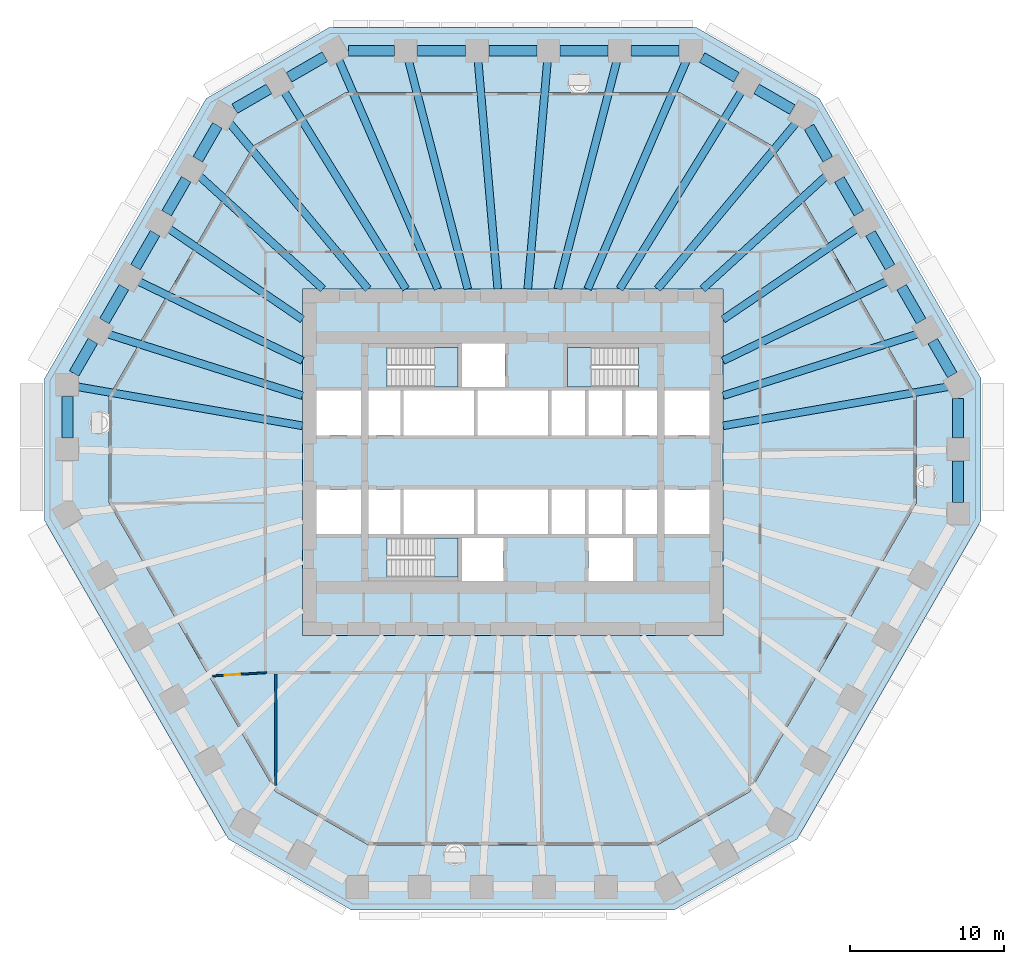
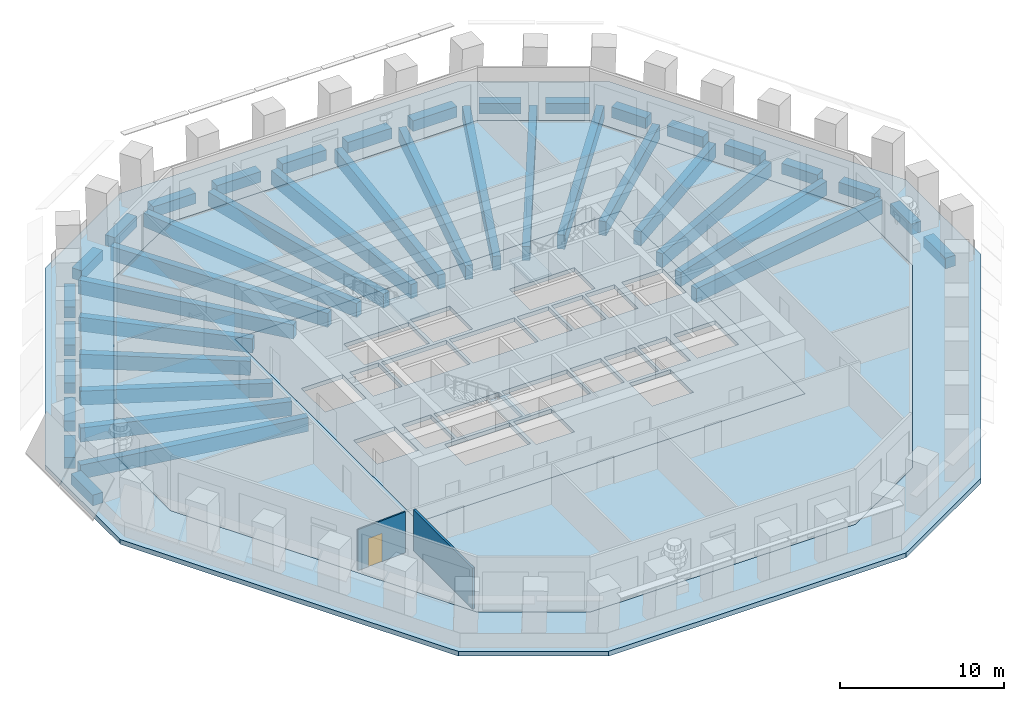
# One storey, part 2 of 12: 42 beams, 6 slabs, 2 walls, 1 door, 1 opening, 3 elements without a shape of their own.
"""IFC4 building model written with IfcOpenShell, lengths in metres."""

from ifc_helpers import new_model, si_unit, direction, frame, frame_2d, origin, origin_2d, place, context, subcontext, project, spatial, polyline, rectangle, outline, extrude, material, layer, layer_set, material_profile, profile_set, type_object, element, fill, aggregate, save


model = new_model("IFC4")

# Units and contexts
model_context = context("Model", 3, precision=1e-05, world=origin(), true_north=direction((0.0, 1.0)))
body_context = subcontext(model_context, "Body", "Model", "MODEL_VIEW")
ifc_project = project(units=[si_unit("LENGTHUNIT", "METRE"), si_unit("AREAUNIT", "SQUARE_METRE"), si_unit("VOLUMEUNIT", "CUBIC_METRE"), si_unit("PLANEANGLEUNIT", "RADIAN"), si_unit("MASSUNIT", "GRAM", prefix="KILO")], contexts=[model_context])

# Site, building, storey
site_placement = place(None, origin())
site = spatial("IfcSite", under=ifc_project, at=site_placement, CompositionType="ELEMENT")
building_placement = place(site_placement, origin())
building = spatial("IfcBuilding", under=site, at=building_placement, Name="Frailejon Research Tower", CompositionType="ELEMENT")
storey_placement = place(building_placement, frame((0.0, 0.0, 41.0)))
storey = spatial("IfcBuildingStorey", under=building, at=storey_placement, Name="L09", CompositionType="ELEMENT", Elevation=41.0)

# Beams
ifc_material_1 = material(Name="Concrete C60/75", Category="concrete")
ifc_material_profile_1 = material_profile(ifc_material_1, rectangle(XDim=0.5, YDim=1.050048828125, at=origin_2d()), Name="Girder 500x1050")
ifc_profile_set_1 = profile_set([ifc_material_profile_1], Name="Concrete C60/75")
beam_type_1 = type_object("IfcBeamType", Name="Girder 500x1050", PredefinedType="BEAM", material=ifc_profile_set_1)
beam_1_placement = place(storey_placement, frame((28.25244140625, 4.90625, -0.824951171875), z_axis=(-0.985253677292, -0.171099945597, 0.0), x_axis=(0.171099945597, -0.985253677292, 0.0)))
element("IfcBeam", 1, at=beam_1_placement, inside=storey, type_object=beam_type_1, Name="Girder 500x1050", PredefinedType="BEAM", context=body_context, shape_type="SweptSolid", body=[
    extrude(rectangle(XDim=0.5, YDim=1.050048828125, at=origin_2d()), origin(), (0.0, 0.0, 1.0), 14.821044921875),
])
beam_2_placement = place(storey_placement, frame((26.282470703125, 8.32958984375, -0.824951171875), z_axis=(-0.953269467838, -0.302121369134, 0.0), x_axis=(0.302121369134, -0.953269467838, 0.0)))
element("IfcBeam", 2, at=beam_2_placement, inside=storey, type_object=beam_type_1, Name="Girder 500x1050", PredefinedType="BEAM", context=body_context, shape_type="SweptSolid", body=[
    extrude(rectangle(XDim=0.5, YDim=1.050048828125, at=origin_2d()), origin(), (0.0, 0.0, 1.0), 13.251953125),
])
beam_3_placement = place(storey_placement, frame((24.3095703125, 11.75341796875, -0.824951171875), z_axis=(-0.900294817575, -0.435280646764, 0.0), x_axis=(0.435280646764, -0.900294817575, 0.0)))
element("IfcBeam", 3, at=beam_3_placement, inside=storey, type_object=beam_type_1, Name="Girder 500x1050", PredefinedType="BEAM", context=body_context, shape_type="SweptSolid", body=[
    extrude(rectangle(XDim=0.5, YDim=1.050048828125, at=origin_2d()), origin(), (0.0, 0.0, 1.0), 11.840087890625),
])
beam_4_placement = place(storey_placement, frame((22.33349609375, 15.17578125, -0.824951171875), z_axis=(-0.827123683747, -0.562019938956, 0.0), x_axis=(0.562019938956, -0.827123683747, 0.0)))
element("IfcBeam", 4, at=beam_4_placement, inside=storey, type_object=beam_type_1, Name="Girder 500x1050", PredefinedType="BEAM", context=body_context, shape_type="SweptSolid", body=[
    extrude(rectangle(XDim=0.5, YDim=1.050048828125, at=origin_2d()), origin(), (0.0, 0.0, 1.0), 10.49853515625),
])
beam_5_placement = place(storey_placement, frame((20.35498046875, 18.5966796875, -0.824951171875), z_axis=(-0.738272425146, -0.674502651046, 0.0), x_axis=(0.674502651046, -0.738272425146, 0.0)))
element("IfcBeam", 5, at=beam_5_placement, inside=storey, type_object=beam_type_1, Name="Girder 500x1050", PredefinedType="BEAM", context=body_context, shape_type="SweptSolid", body=[
    extrude(rectangle(XDim=0.5, YDim=1.050048828125, at=origin_2d()), origin(), (0.0, 0.0, 1.0), 10.89208984375),
])
beam_6_placement = place(storey_placement, frame((18.399169921875, 22.043212890625, -0.824951171875), z_axis=(-0.640790572765, -0.767715729848, 0.0), x_axis=(0.767715729848, -0.640790572765, 0.0)))
element("IfcBeam", 6, at=beam_6_placement, inside=storey, type_object=beam_type_1, Name="Girder 500x1050", PredefinedType="BEAM", context=body_context, shape_type="SweptSolid", body=[
    extrude(rectangle(XDim=0.5, YDim=1.050048828125, at=origin_2d()), origin(), (0.0, 0.0, 1.0), 14.058837890625),
])
beam_7_placement = place(storey_placement, frame((14.849365234375, 24.09521484375, -0.824951171875), z_axis=(-0.52465071379, -0.851317583819, 0.0), x_axis=(0.851317583819, -0.52465071379, 0.0)))
element("IfcBeam", 7, at=beam_7_placement, inside=storey, type_object=beam_type_1, Name="Girder 500x1050", PredefinedType="BEAM", context=body_context, shape_type="SweptSolid", body=[
    extrude(rectangle(XDim=0.5, YDim=1.050048828125, at=origin_2d()), origin(), (0.0, 0.0, 1.0), 15.088623046875),
])
beam_8_placement = place(storey_placement, frame((11.273193359375, 26.087646484375, -0.824951171875), z_axis=(-0.396668334499, -0.917961999435, 0.0), x_axis=(0.917961999435, -0.396668334499, 0.0)))
element("IfcBeam", 8, at=beam_8_placement, inside=storey, type_object=beam_type_1, Name="Girder 500x1050", PredefinedType="BEAM", context=body_context, shape_type="SweptSolid", body=[
    extrude(rectangle(XDim=0.5, YDim=1.050048828125, at=origin_2d()), origin(), (0.0, 0.0, 1.0), 16.16357421875),
])
beam_9_placement = place(storey_placement, frame((6.765869140625, 26.09521484375, -0.824951171875), z_axis=(-0.250969340923, -0.967995036101, 0.0), x_axis=(0.967995036101, -0.250969340923, 0.0)))
element("IfcBeam", 9, at=beam_9_placement, inside=storey, type_object=beam_type_1, Name="Girder 500x1050", PredefinedType="BEAM", context=body_context, shape_type="SweptSolid", body=[
    extrude(rectangle(XDim=0.5, YDim=1.050048828125, at=origin_2d()), origin(), (0.0, 0.0, 1.0), 15.3359375),
])
for number, where, z_axis, x_axis, name in (
    (10, (2.255615234375, 26.099365234375, -0.824951171875), (-0.086093823867, -0.996287033687, 0.0), (0.996287033687, -0.086093823867, 0.0), "Girder 500x1050"),
    (11, (-2.255615234375, 26.099365234375, -0.824951171875), (0.086093823867, -0.996287033687, 0.0), (0.996287033687, 0.086093823867, 0.0), "Girder 500x1050"),
):
    element("IfcBeam", number, at=place(storey_placement, frame(where, z_axis=z_axis, x_axis=x_axis)), inside=storey, type_object=beam_type_1, Name=name, PredefinedType="BEAM", context=body_context, shape_type="SweptSolid", body=[
        extrude(rectangle(XDim=0.5, YDim=1.050048828125, at=origin_2d()), origin(), (0.0, 0.0, 1.0), 14.90478515625),
    ])
beam_10_placement = place(storey_placement, frame((-6.765869140625, 26.09521484375, -0.824951171875), z_axis=(0.250969340923, -0.967995036101, 0.0), x_axis=(0.967995036101, 0.250969340923, 0.0)))
element("IfcBeam", 12, at=beam_10_placement, inside=storey, type_object=beam_type_1, Name="Girder 500x1050", PredefinedType="BEAM", context=body_context, shape_type="SweptSolid", body=[
    extrude(rectangle(XDim=0.5, YDim=1.050048828125, at=origin_2d()), origin(), (0.0, 0.0, 1.0), 15.3359375),
])
beam_11_placement = place(storey_placement, frame((-11.2978515625, 26.14453125, -0.824951171875), z_axis=(0.3966723461, -0.917960265937, 0.0), x_axis=(0.917960265937, 0.3966723461, 0.0)))
element("IfcBeam", 13, at=beam_11_placement, inside=storey, type_object=beam_type_1, Name="Girder 500x1050", PredefinedType="BEAM", context=body_context, shape_type="SweptSolid", body=[
    extrude(rectangle(XDim=0.5, YDim=1.050048828125, at=origin_2d()), origin(), (0.0, 0.0, 1.0), 16.2255859375),
])
beam_12_placement = place(storey_placement, frame((-14.849365234375, 24.09521484375, -0.824951171875), z_axis=(0.52465071379, -0.851317583819, 0.0), x_axis=(0.851317583819, 0.52465071379, 0.0)))
element("IfcBeam", 14, at=beam_12_placement, inside=storey, type_object=beam_type_1, Name="Girder 500x1050", PredefinedType="BEAM", context=body_context, shape_type="SweptSolid", body=[
    extrude(rectangle(XDim=0.5, YDim=1.050048828125, at=origin_2d()), origin(), (0.0, 0.0, 1.0), 15.088623046875),
])
beam_13_placement = place(storey_placement, frame((-18.375, 22.01416015625, -0.824951171875), z_axis=(0.640793917656, -0.767712937949, 0.0), x_axis=(0.767712937949, 0.640793917656, 0.0)))
element("IfcBeam", 15, at=beam_13_placement, inside=storey, type_object=beam_type_1, Name="Girder 500x1050", PredefinedType="BEAM", context=body_context, shape_type="SweptSolid", body=[
    extrude(rectangle(XDim=0.5, YDim=1.050048828125, at=origin_2d()), origin(), (0.0, 0.0, 1.0), 14.02099609375),
])
beam_14_placement = place(storey_placement, frame((-20.35498046875, 18.5966796875, -0.824951171875), z_axis=(0.738272425146, -0.674502651046, 0.0), x_axis=(0.674502651046, 0.738272425146, 0.0)))
element("IfcBeam", 16, at=beam_14_placement, inside=storey, type_object=beam_type_1, Name="Girder 500x1050", PredefinedType="BEAM", context=body_context, shape_type="SweptSolid", body=[
    extrude(rectangle(XDim=0.5, YDim=1.050048828125, at=origin_2d()), origin(), (0.0, 0.0, 1.0), 10.89208984375),
])
beam_15_placement = place(storey_placement, frame((-22.33349609375, 15.17578125, -0.824951171875), z_axis=(0.827123683747, -0.562019938956, 0.0), x_axis=(0.562019938956, 0.827123683747, 0.0)))
element("IfcBeam", 17, at=beam_15_placement, inside=storey, type_object=beam_type_1, Name="Girder 500x1050", PredefinedType="BEAM", context=body_context, shape_type="SweptSolid", body=[
    extrude(rectangle(XDim=0.5, YDim=1.050048828125, at=origin_2d()), origin(), (0.0, 0.0, 1.0), 10.49853515625),
])
beam_16_placement = place(storey_placement, frame((-24.3095703125, 11.75341796875, -0.824951171875), z_axis=(0.900294817575, -0.435280646764, 0.0), x_axis=(0.435280646764, 0.900294817575, 0.0)))
element("IfcBeam", 18, at=beam_16_placement, inside=storey, type_object=beam_type_1, Name="Girder 500x1050", PredefinedType="BEAM", context=body_context, shape_type="SweptSolid", body=[
    extrude(rectangle(XDim=0.5, YDim=1.050048828125, at=origin_2d()), origin(), (0.0, 0.0, 1.0), 11.840087890625),
])
beam_17_placement = place(storey_placement, frame((-26.282470703125, 8.32958984375, -0.824951171875), z_axis=(0.953269467838, -0.302121369134, 0.0), x_axis=(0.302121369134, 0.953269467838, 0.0)))
element("IfcBeam", 19, at=beam_17_placement, inside=storey, type_object=beam_type_1, Name="Girder 500x1050", PredefinedType="BEAM", context=body_context, shape_type="SweptSolid", body=[
    extrude(rectangle(XDim=0.5, YDim=1.050048828125, at=origin_2d()), origin(), (0.0, 0.0, 1.0), 13.251953125),
])
beam_18_placement = place(storey_placement, frame((-28.28955078125, 4.91259765625, -0.824951171875), z_axis=(0.985254775356, -0.171093622436, 0.0), x_axis=(0.171093622436, 0.985254775356, 0.0)))
element("IfcBeam", 20, at=beam_18_placement, inside=storey, type_object=beam_type_1, Name="Girder 500x1050", PredefinedType="BEAM", context=body_context, shape_type="SweptSolid", body=[
    extrude(rectangle(XDim=0.5, YDim=1.050048828125, at=origin_2d()), origin(), (0.0, 0.0, 1.0), 14.858642578125),
])
ifc_material_2 = material(Name="Concrete C60/75", Category="concrete")
ifc_material_profile_2 = material_profile(ifc_material_2, rectangle(XDim=0.699951171875, YDim=0.800048828125, at=origin_2d()), Name="Spandrel 700x800")
ifc_profile_set_2 = profile_set([ifc_material_profile_2], Name="Concrete C60/75")
beam_type_2 = type_object("IfcBeamType", Name="Spandrel 700x800", PredefinedType="BEAM", material=ifc_profile_set_2)
beam_19_placement = place(storey_placement, frame((28.891845703125, -2.60791015625, -0.75), z_axis=(0.0, 1.0, 0.0), x_axis=(-1.0, 0.0, 0.0)))
element("IfcBeam", 21, at=beam_19_placement, inside=storey, type_object=beam_type_2, Name="Spandrel 700x800", PredefinedType="BEAM", context=body_context, shape_type="SweptSolid", body=[
    extrude(rectangle(XDim=0.699951171875, YDim=0.800048828125, at=origin_2d()), origin(), (0.0, 0.0, 1.0), 2.6875),
])
beam_20_placement = place(storey_placement, frame((28.891845703125, 1.57958984375, -0.75), z_axis=(0.0, 1.0, 0.0), x_axis=(-1.0, 0.0, 0.0)))
element("IfcBeam", 22, at=beam_20_placement, inside=storey, type_object=beam_type_2, Name="Spandrel 700x800", PredefinedType="BEAM", context=body_context, shape_type="SweptSolid", body=[
    extrude(rectangle(XDim=0.699951171875, YDim=0.800048828125, at=origin_2d()), origin(), (0.0, 0.0, 1.0), 2.571533203125),
])
for number, where, z_axis, x_axis, name in (
    (23, (28.516845703125, 5.666748046875, -0.75), (-0.500035802948, 0.866004731956, 0.0), (-0.866004731956, -0.500035802948, 0.0), "Spandrel 700x800"),
    (24, (26.49658203125, 9.165771484375, -0.75), (-0.499963722229, 0.866046347752, 0.0), (-0.866046347752, -0.499963722229, 0.0), "Spandrel 700x800"),
    (25, (24.4765625, 12.664794921875, -0.75), (-0.500035802948, 0.866004731956, 0.0), (-0.866004731956, -0.500035802948, 0.0), "Spandrel 700x800"),
):
    element("IfcBeam", number, at=place(storey_placement, frame(where, z_axis=z_axis, x_axis=x_axis)), inside=storey, type_object=beam_type_2, Name=name, PredefinedType="BEAM", context=body_context, shape_type="SweptSolid", body=[
        extrude(rectangle(XDim=0.699951171875, YDim=0.800048828125, at=origin_2d()), origin(), (0.0, 0.0, 1.0), 2.540283203125),
    ])
beam_21_placement = place(storey_placement, frame((22.456298828125, 16.163818359375, -0.75), z_axis=(-0.499994189038, 0.866028758719, 0.0), x_axis=(-0.866028758719, -0.499994189038, 0.0)))
element("IfcBeam", 26, at=beam_21_placement, inside=storey, type_object=beam_type_2, Name="Spandrel 700x800", PredefinedType="BEAM", context=body_context, shape_type="SweptSolid", body=[
    extrude(rectangle(XDim=0.699951171875, YDim=0.800048828125, at=origin_2d()), origin(), (0.0, 0.0, 1.0), 2.54052734375),
])
beam_22_placement = place(storey_placement, frame((20.43603515625, 19.662841796875, -0.75), z_axis=(-0.49998396455, 0.866034661658, 0.0), x_axis=(-0.866034661658, -0.49998396455, 0.0)))
element("IfcBeam", 27, at=beam_22_placement, inside=storey, type_object=beam_type_2, Name="Spandrel 700x800", PredefinedType="BEAM", context=body_context, shape_type="SweptSolid", body=[
    extrude(rectangle(XDim=0.699951171875, YDim=0.800048828125, at=origin_2d()), origin(), (0.0, 0.0, 1.0), 2.42431640625),
])
beam_23_placement = place(storey_placement, frame((18.141357421875, 22.887451171875, -0.75), z_axis=(-0.866020687897, 0.500008168067, 0.0), x_axis=(-0.500008168067, -0.866020687897, 0.0)))
element("IfcBeam", 28, at=beam_23_placement, inside=storey, type_object=beam_type_2, Name="Spandrel 700x800", PredefinedType="BEAM", context=body_context, shape_type="SweptSolid", body=[
    extrude(rectangle(XDim=0.699951171875, YDim=0.800048828125, at=origin_2d()), origin(), (0.0, 0.0, 1.0), 2.6875),
])
beam_24_placement = place(storey_placement, frame((14.514892578125, 24.981201171875, -0.75), z_axis=(-0.866008514048, 0.50002925274, 0.0), x_axis=(-0.50002925274, -0.866008514048, 0.0)))
element("IfcBeam", 29, at=beam_24_placement, inside=storey, type_object=beam_type_2, Name="Spandrel 700x800", PredefinedType="BEAM", context=body_context, shape_type="SweptSolid", body=[
    extrude(rectangle(XDim=0.699951171875, YDim=0.800048828125, at=origin_2d()), origin(), (0.0, 0.0, 1.0), 2.571533203125),
])
beam_25_placement = place(storey_placement, frame((10.787841796875, 26.699951171875, -0.75), z_axis=(-1.0, 0.0, 0.0), x_axis=(0.0, -1.0, 0.0)))
element("IfcBeam", 30, at=beam_25_placement, inside=storey, type_object=beam_type_2, Name="Spandrel 700x800", PredefinedType="BEAM", context=body_context, shape_type="SweptSolid", body=[
    extrude(rectangle(XDim=0.699951171875, YDim=0.800048828125, at=origin_2d()), origin(), (0.0, 0.0, 1.0), 3.115234375),
])
beam_26_placement = place(storey_placement, frame((6.172607421875, 26.699951171875, -0.75), z_axis=(-1.0, 0.0, 0.0), x_axis=(0.0, -1.0, 0.0)))
element("IfcBeam", 31, at=beam_26_placement, inside=storey, type_object=beam_type_2, Name="Spandrel 700x800", PredefinedType="BEAM", context=body_context, shape_type="SweptSolid", body=[
    extrude(rectangle(XDim=0.699951171875, YDim=0.800048828125, at=origin_2d()), origin(), (0.0, 0.0, 1.0), 3.114990234375),
])
beam_27_placement = place(storey_placement, frame((1.5576171875, 26.699951171875, -0.75), z_axis=(-1.0, 0.0, 0.0), x_axis=(0.0, -1.0, 0.0)))
element("IfcBeam", 32, at=beam_27_placement, inside=storey, type_object=beam_type_2, Name="Spandrel 700x800", PredefinedType="BEAM", context=body_context, shape_type="SweptSolid", body=[
    extrude(rectangle(XDim=0.699951171875, YDim=0.800048828125, at=origin_2d()), origin(), (0.0, 0.0, 1.0), 3.115234375),
])
beam_28_placement = place(storey_placement, frame((-3.0576171875, 26.699951171875, -0.75), z_axis=(-1.0, 0.0, 0.0), x_axis=(0.0, -1.0, 0.0)))
element("IfcBeam", 33, at=beam_28_placement, inside=storey, type_object=beam_type_2, Name="Spandrel 700x800", PredefinedType="BEAM", context=body_context, shape_type="SweptSolid", body=[
    extrude(rectangle(XDim=0.699951171875, YDim=0.800048828125, at=origin_2d()), origin(), (0.0, 0.0, 1.0), 3.114990234375),
])
beam_29_placement = place(storey_placement, frame((-7.672607421875, 26.699951171875, -0.75), z_axis=(-1.0, 0.0, 0.0), x_axis=(0.0, -1.0, 0.0)))
element("IfcBeam", 34, at=beam_29_placement, inside=storey, type_object=beam_type_2, Name="Spandrel 700x800", PredefinedType="BEAM", context=body_context, shape_type="SweptSolid", body=[
    extrude(rectangle(XDim=0.699951171875, YDim=0.800048828125, at=origin_2d()), origin(), (0.0, 0.0, 1.0), 2.999267578125),
])
beam_30_placement = place(storey_placement, frame((-12.1875, 26.324951171875, -0.75), z_axis=(-0.866020687897, -0.500008168067, 0.0), x_axis=(0.500008168067, -0.866020687897, 0.0)))
element("IfcBeam", 35, at=beam_30_placement, inside=storey, type_object=beam_type_2, Name="Spandrel 700x800", PredefinedType="BEAM", context=body_context, shape_type="SweptSolid", body=[
    extrude(rectangle(XDim=0.699951171875, YDim=0.800048828125, at=origin_2d()), origin(), (0.0, 0.0, 1.0), 2.6875),
])
beam_31_placement = place(storey_placement, frame((-15.81396484375, 24.231201171875, -0.75), z_axis=(-0.866008514048, -0.50002925274, 0.0), x_axis=(0.50002925274, -0.866008514048, 0.0)))
element("IfcBeam", 36, at=beam_31_placement, inside=storey, type_object=beam_type_2, Name="Spandrel 700x800", PredefinedType="BEAM", context=body_context, shape_type="SweptSolid", body=[
    extrude(rectangle(XDim=0.699951171875, YDim=0.800048828125, at=origin_2d()), origin(), (0.0, 0.0, 1.0), 2.571533203125),
])
beam_32_placement = place(storey_placement, frame((-19.166015625, 21.86279296875, -0.75), z_axis=(-0.499963722229, -0.866046347752, 0.0), x_axis=(0.866046347752, -0.499963722229, 0.0)))
element("IfcBeam", 37, at=beam_32_placement, inside=storey, type_object=beam_type_2, Name="Spandrel 700x800", PredefinedType="BEAM", context=body_context, shape_type="SweptSolid", body=[
    extrude(rectangle(XDim=0.699951171875, YDim=0.800048828125, at=origin_2d()), origin(), (0.0, 0.0, 1.0), 2.540283203125),
])
beam_33_placement = place(storey_placement, frame((-21.18603515625, 18.364013671875, -0.75), z_axis=(-0.499994189038, -0.866028758719, 0.0), x_axis=(0.866028758719, -0.499994189038, 0.0)))
element("IfcBeam", 38, at=beam_33_placement, inside=storey, type_object=beam_type_2, Name="Spandrel 700x800", PredefinedType="BEAM", context=body_context, shape_type="SweptSolid", body=[
    extrude(rectangle(XDim=0.699951171875, YDim=0.800048828125, at=origin_2d()), origin(), (0.0, 0.0, 1.0), 2.54052734375),
])
for number, where, z_axis, x_axis, name in (
    (39, (-23.206298828125, 14.86474609375, -0.75), (-0.500035802948, -0.866004731956, 0.0), (0.866004731956, -0.500035802948, 0.0), "Spandrel 700x800"),
    (40, (-25.2265625, 11.36572265625, -0.75), (-0.499963722229, -0.866046347752, 0.0), (0.866046347752, -0.499963722229, 0.0), "Spandrel 700x800"),
):
    element("IfcBeam", number, at=place(storey_placement, frame(where, z_axis=z_axis, x_axis=x_axis)), inside=storey, type_object=beam_type_2, Name=name, PredefinedType="BEAM", context=body_context, shape_type="SweptSolid", body=[
        extrude(rectangle(XDim=0.699951171875, YDim=0.800048828125, at=origin_2d()), origin(), (0.0, 0.0, 1.0), 2.540283203125),
    ])
beam_34_placement = place(storey_placement, frame((-27.24658203125, 7.86669921875, -0.75), z_axis=(-0.49998396455, -0.866034661658, 0.0), x_axis=(0.866034661658, -0.49998396455, 0.0)))
element("IfcBeam", 41, at=beam_34_placement, inside=storey, type_object=beam_type_2, Name="Spandrel 700x800", PredefinedType="BEAM", context=body_context, shape_type="SweptSolid", body=[
    extrude(rectangle(XDim=0.699951171875, YDim=0.800048828125, at=origin_2d()), origin(), (0.0, 0.0, 1.0), 2.42431640625),
])
beam_35_placement = place(storey_placement, frame((-28.891845703125, 4.26708984375, -0.75), z_axis=(0.0, -1.0, 0.0), x_axis=(1.0, 0.0, 0.0)))
element("IfcBeam", 42, at=beam_35_placement, inside=storey, type_object=beam_type_2, Name="Spandrel 700x800", PredefinedType="BEAM", context=body_context, shape_type="SweptSolid", body=[
    extrude(rectangle(XDim=0.699951171875, YDim=0.800048828125, at=origin_2d()), origin(), (0.0, 0.0, 1.0), 2.6875),
])

# Slabs
ifc_material_3 = material(Name="Concrete C70/85", Category="concrete")
ifc_layer_1 = layer(ifc_material_3, 0.300048828125)
ifc_layer_set_1 = layer_set([ifc_layer_1], Name="Core floor slab 300 C70/85")
slab_type_1 = type_object("IfcSlabType", Name="Core floor slab 300 C70/85", PredefinedType="FLOOR", material=ifc_layer_set_1)
slab_1_placement = place(storey_placement, frame((0.0, 0.0, -0.300048828125)))
element("IfcSlab", 43, at=slab_1_placement, inside=storey, type_object=slab_type_1, Name="Core floor slab", PredefinedType="FLOOR", context=body_context, shape_type="SweptSolid", body=[
    extrude(outline(polyline([(13.64990234375, -11.25), (13.64990234375, 11.25), (-13.64990234375, 11.25), (-13.64990234375, -11.25), (13.64990234375, -11.25)]), holes=[polyline([(-9.85009765625, 1.75), (-9.85009765625, 4.64990234375), (-12.75, 4.64990234375), (-12.75, 1.75), (-9.85009765625, 1.75)]), polyline([(-7.300048828125, 1.75), (-7.300048828125, 4.64990234375), (-9.35009765625, 4.64990234375), (-9.35009765625, 1.75), (-7.300048828125, 1.75)]), polyline([(-2.5, 1.75), (-2.5, 4.64990234375), (-7.10009765625, 4.64990234375), (-7.10009765625, 1.75), (-2.5, 1.75)]), polyline([(2.300048828125, 1.75), (2.300048828125, 4.64990234375), (-2.300048828125, 4.64990234375), (-2.300048828125, 1.75), (2.300048828125, 1.75)]), polyline([(4.699951171875, 1.75), (4.699951171875, 4.64990234375), (2.5, 4.64990234375), (2.5, 1.75), (4.699951171875, 1.75)]), polyline([(7.10009765625, 1.75), (7.10009765625, 4.64990234375), (4.89990234375, 4.64990234375), (4.89990234375, 1.75), (7.10009765625, 1.75)]), polyline([(9.35009765625, 1.75), (9.35009765625, 4.64990234375), (7.300048828125, 4.64990234375), (7.300048828125, 1.75), (9.35009765625, 1.75)]), polyline([(12.75, 1.75), (12.75, 4.64990234375), (9.85009765625, 4.64990234375), (9.85009765625, 1.75), (12.75, 1.75)]), polyline([(-9.85009765625, -4.64990234375), (-9.85009765625, -1.75), (-12.75, -1.75), (-12.75, -4.64990234375), (-9.85009765625, -4.64990234375)]), polyline([(-7.300048828125, -4.64990234375), (-7.300048828125, -1.75), (-9.35009765625, -1.75), (-9.35009765625, -4.64990234375), (-7.300048828125, -4.64990234375)]), polyline([(-2.5, -4.64990234375), (-2.5, -1.75), (-7.10009765625, -1.75), (-7.10009765625, -4.64990234375), (-2.5, -4.64990234375)]), polyline([(2.300048828125, -4.64990234375), (2.300048828125, -1.75), (-2.300048828125, -1.75), (-2.300048828125, -4.64990234375), (2.300048828125, -4.64990234375)]), polyline([(4.699951171875, -4.64990234375), (4.699951171875, -1.75), (2.5, -1.75), (2.5, -4.64990234375), (4.699951171875, -4.64990234375)]), polyline([(7.10009765625, -4.64990234375), (7.10009765625, -1.75), (4.89990234375, -1.75), (4.89990234375, -4.64990234375), (7.10009765625, -4.64990234375)]), polyline([(9.35009765625, -4.64990234375), (9.35009765625, -1.75), (7.300048828125, -1.75), (7.300048828125, -4.64990234375), (9.35009765625, -4.64990234375)]), polyline([(12.75, -4.64990234375), (12.75, -1.75), (9.85009765625, -1.75), (9.85009765625, -4.64990234375), (12.75, -4.64990234375)]), polyline([(-8.14697265625, 4.89990234375), (-3.550048828125, 4.89990234375), (-3.550048828125, 7.449951171875), (-8.14697265625, 7.449951171875), (-8.14697265625, 4.89990234375)]), polyline([(-8.14697265625, -7.449951171875), (-3.550048828125, -7.449951171875), (-3.550048828125, -4.89990234375), (-8.14697265625, -4.89990234375), (-8.14697265625, -7.449951171875)]), polyline([(8.14697265625, 7.449951171875), (3.550048828125, 7.449951171875), (3.550048828125, 4.89990234375), (8.14697265625, 4.89990234375), (8.14697265625, 7.449951171875)]), polyline([(-0.60009765625, -7.699951171875), (-0.60009765625, -4.89990234375), (-3.300048828125, -4.89990234375), (-3.300048828125, -7.699951171875), (-0.60009765625, -7.699951171875)]), polyline([(7.800048828125, -7.699951171875), (7.800048828125, -4.89990234375), (4.89990234375, -4.89990234375), (4.89990234375, -7.699951171875), (7.800048828125, -7.699951171875)]), polyline([(-0.5, 4.89990234375), (-0.5, 7.699951171875), (-3.300048828125, 7.699951171875), (-3.300048828125, 4.89990234375), (-0.5, 4.89990234375)])]), origin(), (0.0, 0.0, 1.0), 0.300048828125),
])
ifc_material_4 = material(Name="Concrete C40/50", Category="concrete")
ifc_layer_2 = layer(ifc_material_4, 0.35009765625)
ifc_layer_set_2 = layer_set([ifc_layer_2], Name="Loggia slab 350")
slab_type_2 = type_object("IfcSlabType", Name="Loggia slab 350", PredefinedType="USERDEFINED", material=ifc_layer_set_2)
slab_2_placement = place(storey_placement, frame((0.0, 0.0, -0.35009765625)))
element("IfcSlab", 44, at=slab_2_placement, inside=storey, type_object=slab_type_2, Name="Loggia slab L09", ObjectType="LOGGIA", PredefinedType="USERDEFINED", context=body_context, shape_type="SweptSolid", body=[
    extrude(outline(polyline([(18.451904296875, -24.440185546875), (10.502685546875, -29.02978515625), (-10.502685546875, -29.02978515625), (-18.451904296875, -24.440185546875), (-30.391845703125, -3.759765625), (-30.391845703125, 5.419189453125), (-19.888916015625, 23.610595703125), (-11.939697265625, 28.199951171875), (11.939697265625, 28.199951171875), (19.888916015625, 23.610595703125), (30.391845703125, 5.419189453125), (30.391845703125, -3.759765625), (18.451904296875, -24.440185546875)]), holes=[polyline([(26.19189453125, 4.293701171875), (16.814453125, 20.535888671875), (10.814453125, 24.0), (-10.814453125, 24.0), (-16.814453125, 20.535888671875), (-26.19189453125, 4.293701171875), (-26.19189453125, -2.634521484375), (-15.37744140625, -21.365478515625), (-9.37744140625, -24.82958984375), (9.37744140625, -24.82958984375), (15.37744140625, -21.365478515625), (26.19189453125, -2.634521484375), (26.19189453125, 4.293701171875)])]), origin(), (0.0, 0.0, 1.0), 0.35009765625),
])
ifc_material_5 = material(Name="Concrete C40/50", Category="concrete")
ifc_layer_3 = layer(ifc_material_5, 0.300048828125)
ifc_layer_set_3 = layer_set([ifc_layer_3], Name="Slab typical 300")
slab_type_3 = type_object("IfcSlabType", Name="Slab typical 300", PredefinedType="FLOOR", material=ifc_layer_set_3)
slab_3_placement = place(storey_placement, frame((0.0, 0.0, -0.300048828125)))
element("IfcSlab", 45, at=slab_3_placement, inside=storey, type_object=slab_type_3, Name="Floor slab L09", PredefinedType="FLOOR", context=body_context, shape_type="SweptSolid", body=[
    extrude(outline(polyline([(26.19189453125, -2.634521484375), (26.19189453125, 4.293701171875), (16.814453125, 20.535888671875), (10.814453125, 24.0), (-10.814453125, 24.0), (-16.814453125, 20.535888671875), (-26.19189453125, 4.293701171875), (-26.19189453125, -2.634521484375), (-15.37744140625, -21.365478515625), (-9.37744140625, -24.82958984375), (9.37744140625, -24.82958984375), (15.37744140625, -21.365478515625), (26.19189453125, -2.634521484375)]), holes=[polyline([(13.64990234375, -11.25), (-13.64990234375, -11.25), (-13.64990234375, 11.25), (13.64990234375, 11.25), (13.64990234375, -11.25)])]), origin(), (0.0, 0.0, 1.0), 0.300048828125),
])

# Stair, slab
ifc_material_6 = material(Name="Concrete C50/60", Category="concrete")
stair_type = type_object("IfcStairType", Name="Exit stair 24 risers", PredefinedType="HALF_TURN_STAIR", material=ifc_material_6)
stair_1_placement = place(storey_placement, origin())
stair_1 = element("IfcStair", 46, at=stair_1_placement, inside=storey, type_object=stair_type, Name="L09 Exit stair ST1", PredefinedType="HALF_TURN_STAIR")
ifc_material_7 = material(Name="Concrete C50/60", Category="concrete")
ifc_layer_4 = layer(ifc_material_7, 0.199951171875)
ifc_layer_set_4 = layer_set([ifc_layer_4], Name="Stair landing slab 200")
slab_type_4 = type_object("IfcSlabType", Name="Stair landing slab 200", PredefinedType="LANDING", material=ifc_layer_set_4)
slab_4_placement = place(storey_placement, frame((0.0, 0.0, 2.0)))
slab_4 = element("IfcSlab", 47, at=slab_4_placement, type_object=slab_type_4, Name="ST1 landing 1", PredefinedType="LANDING", context=body_context, shape_type="SweptSolid", body=[
    extrude(outline(polyline([(-5.070068359375, 4.89990234375), (-3.550048828125, 4.89990234375), (-3.550048828125, 7.449951171875), (-5.070068359375, 7.449951171875), (-5.070068359375, 4.89990234375)])), origin(), (0.0, 0.0, 1.0), 0.199951171875),
])
aggregate(stair_1, [slab_4])

stair_2_placement = place(storey_placement, origin())
stair_2 = element("IfcStair", 48, at=stair_2_placement, inside=storey, type_object=stair_type, Name="L09 Exit stair ST2", PredefinedType="HALF_TURN_STAIR")
slab_5_placement = place(storey_placement, frame((0.0, 0.0, 2.0)))
slab_5 = element("IfcSlab", 49, at=slab_5_placement, type_object=slab_type_4, Name="ST2 landing 1", PredefinedType="LANDING", context=body_context, shape_type="SweptSolid", body=[
    extrude(outline(polyline([(-5.070068359375, -7.449951171875), (-3.550048828125, -7.449951171875), (-3.550048828125, -4.89990234375), (-5.070068359375, -4.89990234375), (-5.070068359375, -7.449951171875)])), origin(), (0.0, 0.0, 1.0), 0.199951171875),
])
aggregate(stair_2, [slab_5])

stair_3_placement = place(storey_placement, origin())
stair_3 = element("IfcStair", 50, at=stair_3_placement, inside=storey, type_object=stair_type, Name="L09 Exit stair ST3", PredefinedType="HALF_TURN_STAIR")
slab_6_placement = place(storey_placement, frame((0.0, 0.0, 2.0)))
slab_6 = element("IfcSlab", 51, at=slab_6_placement, type_object=slab_type_4, Name="ST3 landing 1", PredefinedType="LANDING", context=body_context, shape_type="SweptSolid", body=[
    extrude(outline(polyline([(5.070068359375, 7.449951171875), (3.550048828125, 7.449951171875), (3.550048828125, 4.89990234375), (5.070068359375, 4.89990234375), (5.070068359375, 7.449951171875)])), origin(), (0.0, 0.0, 1.0), 0.199951171875),
])
aggregate(stair_3, [slab_6])

# Wall
ifc_material_8 = material(Name="Gypsum board and masonry partition", Category="masonry")
ifc_layer_5 = layer(ifc_material_8, 0.14990234375)
ifc_layer_set_5 = layer_set([ifc_layer_5], Name="Laboratory partition, blockwork 150")
wall_type_1 = type_object("IfcWallType", Name="Laboratory partition, blockwork 150", PredefinedType="PARTITIONING", material=ifc_layer_set_5)
wall_1_placement = place(storey_placement, frame((-15.37744140625, -20.965576171875, 0.0), z_axis=(0.0, 0.0, 1.0), x_axis=(0.0, 1.0, 0.0)))
element("IfcWall", 52, at=wall_1_placement, inside=storey, type_object=wall_type_1, Name="T:IW:L09:013", PredefinedType="PARTITIONING", context=body_context, shape_type="SweptSolid", body=[
    extrude(rectangle(XDim=7.240478515625, YDim=0.14990234375, at=frame_2d((3.6201171875, 0.0))), origin(), (0.0, 0.0, 1.0), 3.050048828125),
])

# Wall, opening, door
ifc_material_9 = material(Name="Gypsum board and masonry partition", Category="masonry")
ifc_layer_6 = layer(ifc_material_9, 0.10009765625)
ifc_layer_set_6 = layer_set([ifc_layer_6], Name="Partition, gypsum on steel studs 100")
wall_type_2 = type_object("IfcWallType", Name="Partition, gypsum on steel studs 100", PredefinedType="PARTITIONING", material=ifc_layer_set_6)
wall_2_placement = place(storey_placement, frame((-19.47998046875, -13.859619140625, 0.0), z_axis=(0.0, 0.0, 1.0), x_axis=(0.998139246683, 0.060975767577, 0.0)))
wall_2 = element("IfcWall", 53, at=wall_2_placement, inside=storey, type_object=wall_type_2, Name="T:IW:L09:019", PredefinedType="PARTITIONING", context=body_context, shape_type="SweptSolid", body=[
    extrude(rectangle(XDim=3.511474609375, YDim=0.10009765625, at=frame_2d((1.755859375, 0.0))), origin(), (0.0, 0.0, 1.0), 3.050048828125),
])
opening_placement = place(wall_2_placement, frame((0.7841796875, 0.0, 0.0)))
opening = element("IfcOpeningElement", 54, at=opening_placement, cuts=wall_2, Name="Opening D1381", PredefinedType="OPENING", context=body_context, shape_type="SweptSolid", body=[
    extrude(rectangle(XDim=1.0, YDim=2.10009765625, at=frame_2d((0.5, 1.050048828125))), frame((0.0, 0.06005859375, 0.0), z_axis=(0.0, -1.0, 0.0), x_axis=(1.0, 0.0, 0.0)), (0.0, 0.0, 1.0), 0.1201171875),
])
ifc_material_10 = material(Name="Timber door leaf", Category="wood")
door_type = type_object("IfcDoorType", Name="Door single leaf, timber, steel frame 1000", OperationType="NOTDEFINED", PredefinedType="DOOR", material=ifc_material_10)
door_placement = place(opening_placement, origin())
door = element("IfcDoor", 55, at=door_placement, inside=storey, type_object=door_type, Name="D1381", OperationType="SINGLE_SWING_RIGHT", OverallHeight=2.10009765625, OverallWidth=1.0, PredefinedType="DOOR", context=body_context, shape_type="SweptSolid", body=[
    extrude(rectangle(XDim=1.0, YDim=2.10009765625, at=frame_2d((0.5, 1.050048828125))), frame((0.0, 0.02490234375, 0.0), z_axis=(0.0, -1.0, 0.0), x_axis=(1.0, 0.0, 0.0)), (0.0, 0.0, 1.0), 0.050048828125),
])
fill(opening, door)

save(model, "model.ifc")
